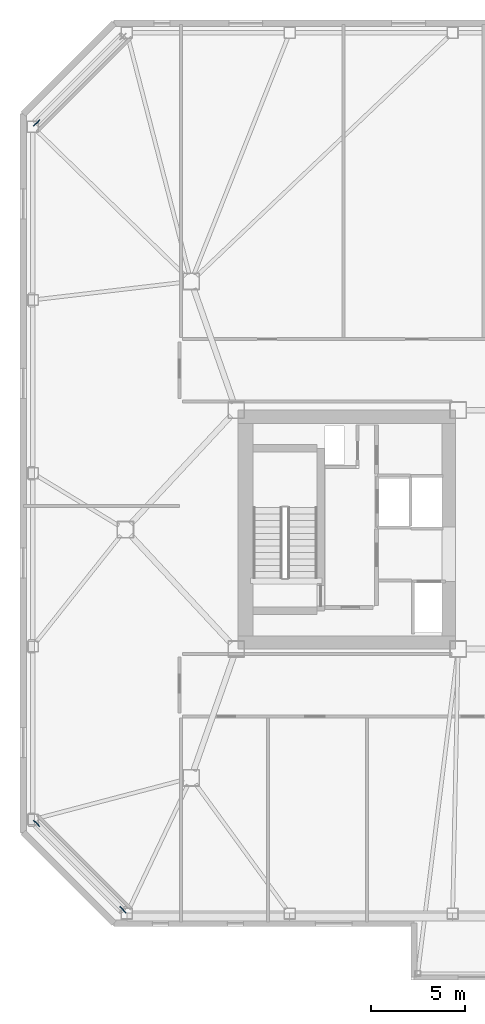
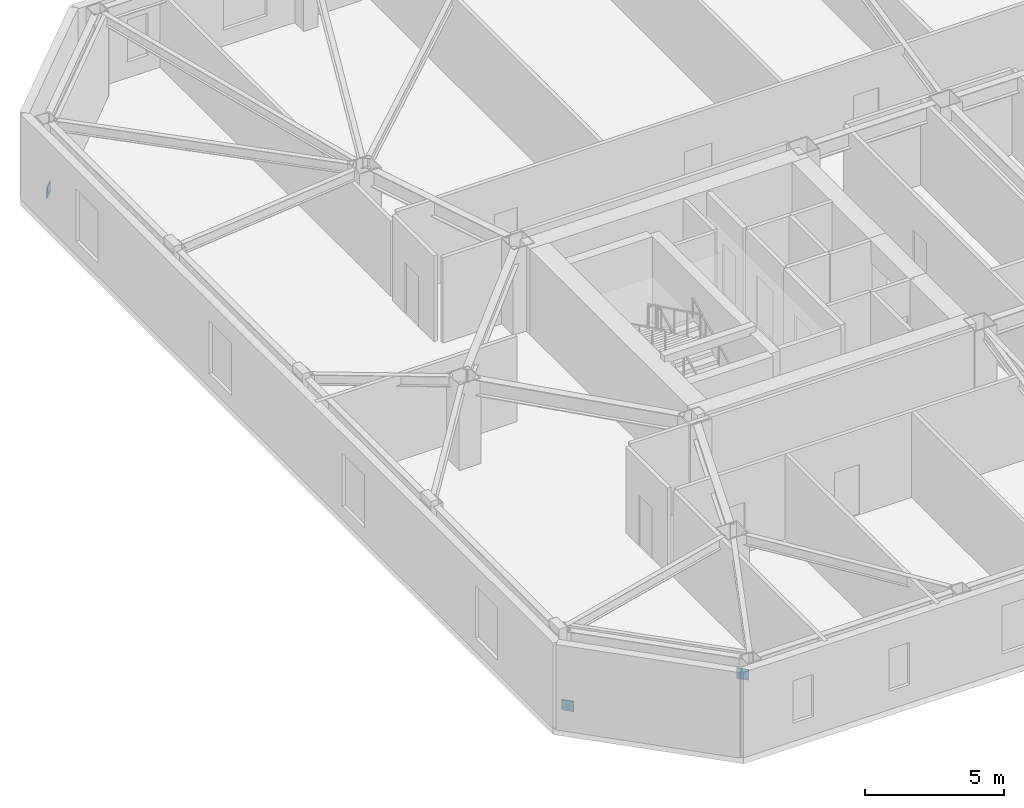
# One storey, part 13 of 16: 3 discrete accessories.
"""IFC4 building model written with IfcOpenShell, lengths in metres."""

from ifc_helpers import new_model, si_unit, direction, frame, origin, origin_2d, place, context, subcontext, project, spatial, rectangle, extrude, material, type_object, element, save


model = new_model("IFC4")

# Units and contexts
model_context = context("Model", 3, precision=1e-05, world=origin(), true_north=direction((0.0, 1.0)))
body_context = subcontext(model_context, "Body", "Model", "MODEL_VIEW")
ifc_project = project(units=[si_unit("LENGTHUNIT", "METRE"), si_unit("AREAUNIT", "SQUARE_METRE"), si_unit("VOLUMEUNIT", "CUBIC_METRE"), si_unit("PLANEANGLEUNIT", "RADIAN"), si_unit("MASSUNIT", "GRAM", prefix="KILO")], contexts=[model_context])

# Site, building, storey
site_placement = place(None, origin())
site = spatial("IfcSite", under=ifc_project, at=site_placement, CompositionType="ELEMENT")
building_placement = place(site_placement, origin())
building = spatial("IfcBuilding", under=site, at=building_placement, Name="Tavrogorsk Clinical Tower", CompositionType="ELEMENT")
storey_placement = place(building_placement, frame((0.0, 0.0, 164.199951171875)))
storey = spatial("IfcBuildingStorey", under=building, at=storey_placement, Name="L37", CompositionType="ELEMENT", Elevation=164.199951171875)

# Discrete accessories
ifc_material = material(Name="Structural steel S440", Category="steel")
discrete_accessory_type = type_object("IfcDiscreteAccessoryType", Name="GussetPlateBracket_25", PredefinedType="BRACKET", material=ifc_material)
for number, where, z_axis, x_axis, name in (
    (1, (-32.717529296875, 21.62255859375, 0.18310546875), (0.0, 0.0, 1.0), (0.707106781187, 0.707106781187, 0.0), "L37 Brace Gusset Plate EXOCRN-L37-3-A"),
    (2, (-32.717529296875, -15.62255859375, 0.18310546875), (0.0, 0.0, 1.0), (0.707106781187, -0.707106781187, 0.0), "L37 Brace Gusset Plate EXOCRN-L37-4-A"),
    (3, (-28.12255859375, -20.217529296875, 2.7470703125), (0.0, 0.0, 1.0), (0.707106781187, -0.707106781187, 0.0), "L37 Brace Gusset Plate EXOCRN-L37-4-B"),
):
    element("IfcDiscreteAccessory", number, at=place(storey_placement, frame(where, z_axis=z_axis, x_axis=x_axis)), inside=storey, type_object=discrete_accessory_type, Name=name, PredefinedType="BRACKET", context=body_context, shape_type="SweptSolid", body=[
        extrude(rectangle(XDim=0.4599609375, YDim=0.0400390625, at=origin_2d()), origin(), (0.0, 0.0, 1.0), 0.4599609375),
    ])

save(model, "model.ifc")
